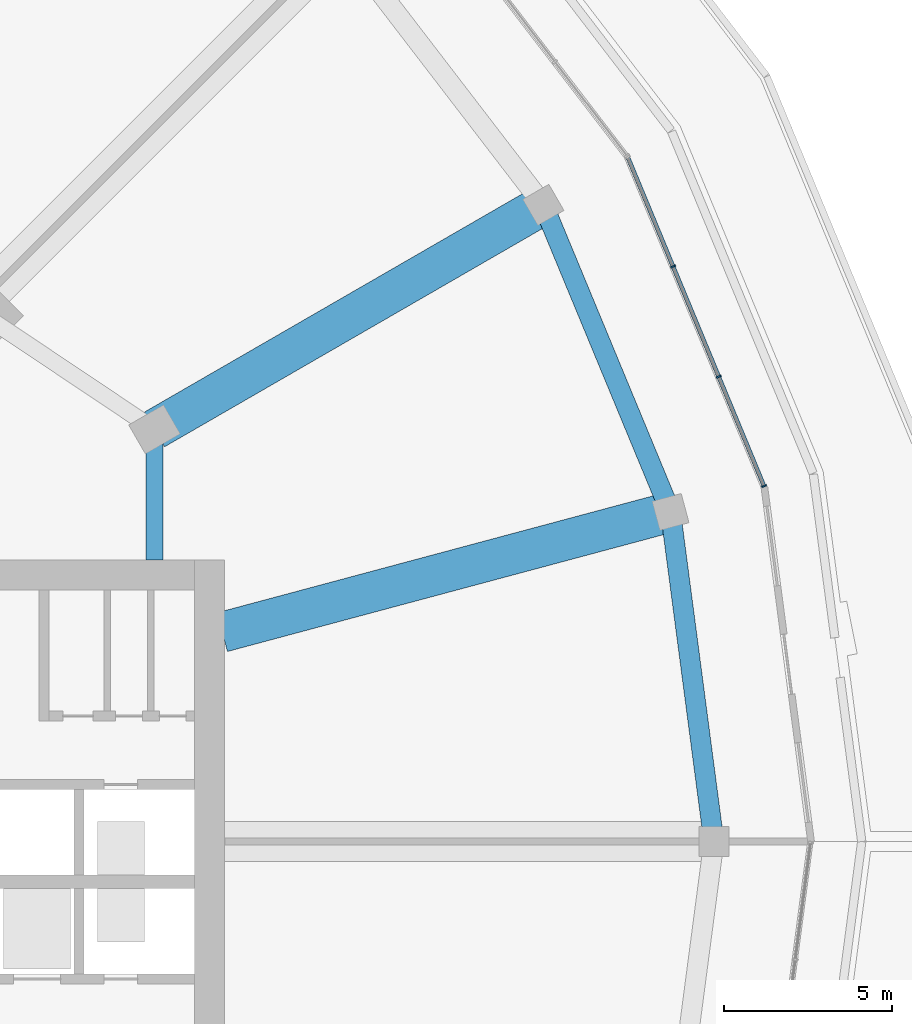
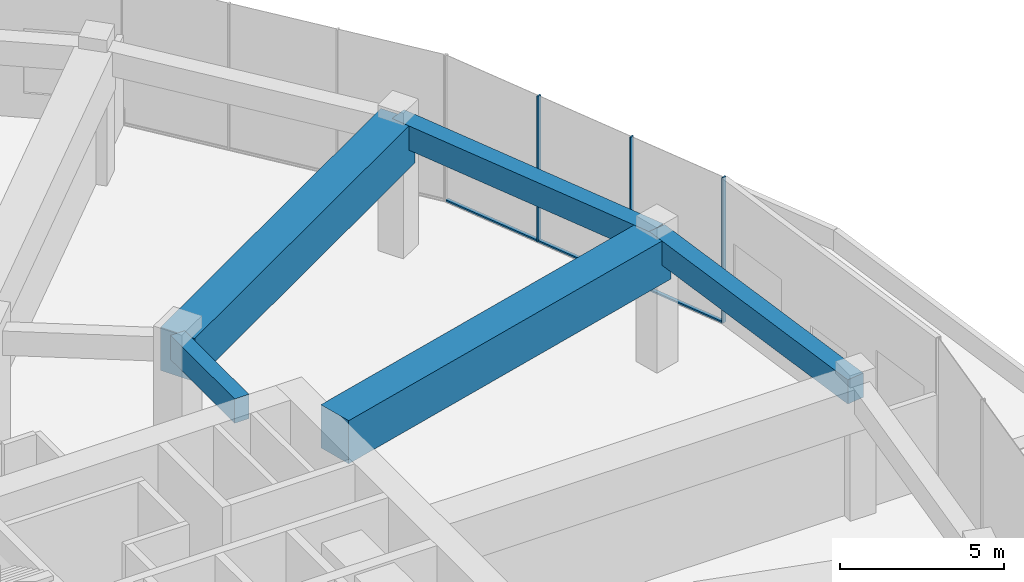
# One storey, part 13 of 30: 6 members, 5 beams, 1 element without a shape of its own.
"""IFC4 building model written with IfcOpenShell, lengths in metres."""

from ifc_helpers import new_model, si_unit, direction, frame, origin, origin_2d, place, context, subcontext, project, spatial, rectangle, extrude, material, layer, layer_set, material_profile, profile_set, type_object, element, aggregate, save


model = new_model("IFC4")

# Units and contexts
model_context = context("Model", 3, precision=1e-05, world=origin(), true_north=direction((0.0, 1.0)))
body_context = subcontext(model_context, "Body", "Model", "MODEL_VIEW")
ifc_project = project(units=[si_unit("LENGTHUNIT", "METRE"), si_unit("AREAUNIT", "SQUARE_METRE"), si_unit("VOLUMEUNIT", "CUBIC_METRE"), si_unit("PLANEANGLEUNIT", "RADIAN"), si_unit("MASSUNIT", "GRAM", prefix="KILO")], contexts=[model_context])

# Site, building, storey
site_placement = place(None, origin())
site = spatial("IfcSite", under=ifc_project, at=site_placement, CompositionType="ELEMENT")
building_placement = place(site_placement, origin())
building = spatial("IfcBuilding", under=site, at=building_placement, Name="Torre Brocal", CompositionType="ELEMENT")
storey_placement = place(building_placement, frame((0.0, 0.0, 7.0)))
storey = spatial("IfcBuildingStorey", under=building, at=storey_placement, Name="L01", CompositionType="ELEMENT", Elevation=7.0)

# Curtain wall, members
ifc_material_1 = material(Name="Aluminium and glass", Category="aluminium")
ifc_layer = layer(ifc_material_1, 0.199951171875)
ifc_layer_set = layer_set([ifc_layer], Name="Aluminium and glass")
curtain_wall_type = type_object("IfcCurtainWallType", Name="CW-3 CURTAIN WALL 5400 HIGH", PredefinedType="NOTDEFINED", material=ifc_layer_set)
curtain_wall_placement = place(storey_placement, origin())
curtain_wall = element("IfcCurtainWall", 1, at=curtain_wall_placement, inside=storey, type_object=curtain_wall_type, Name="CW-3 RUN 2", PredefinedType="NOTDEFINED")
ifc_material_2 = material(Name="Aluminium, dark anodised", Category="aluminium")
ifc_material_profile_1 = material_profile(ifc_material_2, rectangle(XDim=0.14990234375, YDim=0.050048828125, at=origin_2d()), Name="CW-3 MULLION 50X150")
ifc_profile_set_1 = profile_set([ifc_material_profile_1], Name="Aluminium, dark anodised")
member_type_1 = type_object("IfcMemberType", Name="CW-3 MULLION 50X150", PredefinedType="MULLION", material=ifc_profile_set_1)
member_1_placement = place(storey_placement, frame((119.495849609375, 85.608642578125, 0.0), z_axis=(0.0, 0.0, 1.0), x_axis=(-0.923879532498, -0.382683432397, 0.0)))
member_1 = element("IfcMember", 2, at=member_1_placement, type_object=member_type_1, Name="CW3-2 mullion 1", PredefinedType="MULLION", context=body_context, shape_type="SweptSolid", body=[
    extrude(rectangle(XDim=0.14990234375, YDim=0.050048828125, at=origin_2d()), origin(), (0.0, 0.0, 1.0), 5.39990234375),
])
member_2_placement = place(storey_placement, frame((118.1435546875, 88.87353515625, 0.0), z_axis=(0.0, 0.0, 1.0), x_axis=(-0.923879532498, -0.382683432397, 0.0)))
member_2 = element("IfcMember", 3, at=member_2_placement, type_object=member_type_1, Name="CW3-2 mullion 2", PredefinedType="MULLION", context=body_context, shape_type="SweptSolid", body=[
    extrude(rectangle(XDim=0.14990234375, YDim=0.050048828125, at=origin_2d()), origin(), (0.0, 0.0, 1.0), 5.39990234375),
])
member_3_placement = place(storey_placement, frame((116.78173828125, 92.16162109375, 0.0), z_axis=(0.0, 0.0, 1.0), x_axis=(-0.923879532498, -0.382683432397, 0.0)))
member_3 = element("IfcMember", 4, at=member_3_placement, type_object=member_type_1, Name="CW3-2 mullion 3", PredefinedType="MULLION", context=body_context, shape_type="SweptSolid", body=[
    extrude(rectangle(XDim=0.14990234375, YDim=0.050048828125, at=origin_2d()), origin(), (0.0, 0.0, 1.0), 5.39990234375),
])
ifc_material_3 = material(Name="Aluminium, dark anodised", Category="aluminium")
ifc_material_profile_2 = material_profile(ifc_material_3, rectangle(XDim=0.1201171875, YDim=0.06005859375, at=origin_2d()), Name="CW-3 TRANSOM 120X60")
ifc_profile_set_2 = profile_set([ifc_material_profile_2], Name="Aluminium, dark anodised")
member_type_2 = type_object("IfcMemberType", Name="CW-3 TRANSOM 120X60", PredefinedType="USERDEFINED", material=ifc_profile_set_2)
member_4_placement = place(storey_placement, frame((119.486328125, 85.631591796875, 0.030029296875), z_axis=(-0.382683934419, 0.923879324553, 0.0), x_axis=(-0.923879324553, -0.382683934419, 0.0)))
member_4 = element("IfcMember", 5, at=member_4_placement, type_object=member_type_2, Name="CW3-2 transom 1.1", ObjectType="TRANSOM", PredefinedType="USERDEFINED", context=body_context, shape_type="SweptSolid", body=[
    extrude(rectangle(XDim=0.1201171875, YDim=0.06005859375, at=origin_2d()), origin(), (0.0, 0.0, 1.0), 3.48388671875),
])
member_5_placement = place(storey_placement, frame((118.134033203125, 88.896484375, 0.030029296875), z_axis=(-0.382663128485, 0.923887942392, 0.0), x_axis=(-0.923887942392, -0.382663128485, 0.0)))
member_5 = element("IfcMember", 6, at=member_5_placement, type_object=member_type_2, Name="CW3-2 transom 2.1", ObjectType="TRANSOM", PredefinedType="USERDEFINED", context=body_context, shape_type="SweptSolid", body=[
    extrude(rectangle(XDim=0.1201171875, YDim=0.06005859375, at=origin_2d()), origin(), (0.0, 0.0, 1.0), 3.509033203125),
])
member_6_placement = place(storey_placement, frame((116.77197265625, 92.1845703125, 0.030029296875), z_axis=(-0.382683934419, 0.923879324553, 0.0), x_axis=(-0.923879324553, -0.382683934419, 0.0)))
member_6 = element("IfcMember", 7, at=member_6_placement, type_object=member_type_2, Name="CW3-2 transom 3.1", ObjectType="TRANSOM", PredefinedType="USERDEFINED", context=body_context, shape_type="SweptSolid", body=[
    extrude(rectangle(XDim=0.1201171875, YDim=0.06005859375, at=origin_2d()), origin(), (0.0, 0.0, 1.0), 3.48388671875),
])
aggregate(curtain_wall, [member_1, member_2, member_3, member_4, member_5, member_6])

# Beams
ifc_material_4 = material(Name="Concrete C50", Category="concrete")
ifc_material_profile_3 = material_profile(ifc_material_4, rectangle(XDim=0.60009765625, YDim=0.89990234375, at=origin_2d()), Name="RC 600X900")
ifc_profile_set_3 = profile_set([ifc_material_profile_3], Name="Concrete C50")
beam_type_1 = type_object("IfcBeamType", Name="RC BEAM 600X900 C50 TOP 4950", PredefinedType="BEAM", material=ifc_profile_set_3)
beam_1_placement = place(storey_placement, frame((118.0, 75.0, 4.5), z_axis=(-0.13053536403, 0.991443653839, 0.0), x_axis=(-0.991443653839, -0.13053536403, 0.0)))
element("IfcBeam", 8, at=beam_1_placement, inside=storey, type_object=beam_type_1, Name="Beam BT-10", PredefinedType="BEAM", context=body_context, shape_type="SweptSolid", body=[
    extrude(rectangle(XDim=0.60009765625, YDim=0.89990234375, at=origin_2d()), origin(), (0.0, 0.0, 1.0), 9.920166015625),
])
beam_2_placement = place(storey_placement, frame((116.705078125, 84.835205078125, 4.5), z_axis=(-0.382680009946, 0.923880950116, 0.0), x_axis=(-0.923880950116, -0.382680009946, 0.0)))
element("IfcBeam", 9, at=beam_2_placement, inside=storey, type_object=beam_type_1, Name="Beam BT-10", PredefinedType="BEAM", context=body_context, shape_type="SweptSolid", body=[
    extrude(rectangle(XDim=0.60009765625, YDim=0.89990234375, at=origin_2d()), origin(), (0.0, 0.0, 1.0), 9.919921875),
])
ifc_material_5 = material(Name="Concrete C50", Category="concrete")
ifc_material_profile_4 = material_profile(ifc_material_5, rectangle(XDim=0.5, YDim=0.89990234375, at=origin_2d()), Name="RC 500X900")
ifc_profile_set_4 = profile_set([ifc_material_profile_4], Name="Concrete C50")
beam_type_2 = type_object("IfcBeamType", Name="RC SPANDREL BEAM 500X900 C50 TOP 4950", PredefinedType="SPANDREL", material=ifc_profile_set_4)
beam_3_placement = place(storey_placement, frame((101.30419921875, 87.300048828125, 4.5), z_axis=(0.0, -1.0, 0.0), x_axis=(1.0, 0.0, 0.0)))
element("IfcBeam", 10, at=beam_3_placement, inside=storey, type_object=beam_type_2, Name="Beam BT-12", PredefinedType="SPANDREL", context=body_context, shape_type="SweptSolid", body=[
    extrude(rectangle(XDim=0.5, YDim=0.89990234375, at=origin_2d()), origin(), (0.0, 0.0, 1.0), 3.900146484375),
])
ifc_material_6 = material(Name="Concrete C60", Category="concrete")
ifc_material_profile_5 = material_profile(ifc_material_6, rectangle(XDim=1.199951171875, YDim=1.60009765625, at=origin_2d()), Name="RC 1200X1600")
ifc_profile_set_5 = profile_set([ifc_material_profile_5], Name="Concrete C60")
beam_type_3 = type_object("IfcBeamType", Name="RC TRANSFER GIRDER 1200X1600 C60 TOP 4950", PredefinedType="BEAM", material=ifc_profile_set_5)
beam_4_placement = place(storey_placement, frame((101.30419921875, 87.300048828125, 4.14990234375), z_axis=(0.866026905467, 0.499997399001, 0.0), x_axis=(-0.499997399001, 0.866026905467, 0.0)))
element("IfcBeam", 11, at=beam_4_placement, inside=storey, type_object=beam_type_3, Name="Beam TG-02", PredefinedType="BEAM", context=body_context, shape_type="SweptSolid", body=[
    extrude(rectangle(XDim=1.199951171875, YDim=1.60009765625, at=origin_2d()), origin(), (0.0, 0.0, 1.0), 13.39990234375),
])
beam_5_placement = place(storey_placement, frame((103.3271484375, 81.25048828125, 4.14990234375), z_axis=(0.965923816483, 0.258826545686, 0.0), x_axis=(-0.258826545686, 0.965923816483, 0.0)))
element("IfcBeam", 12, at=beam_5_placement, inside=storey, type_object=beam_type_3, Name="Beam TG-02", PredefinedType="BEAM", context=body_context, shape_type="SweptSolid", body=[
    extrude(rectangle(XDim=1.199951171875, YDim=1.60009765625, at=origin_2d()), origin(), (0.0, 0.0, 1.0), 13.849853515625),
])

save(model, "model.ifc")
